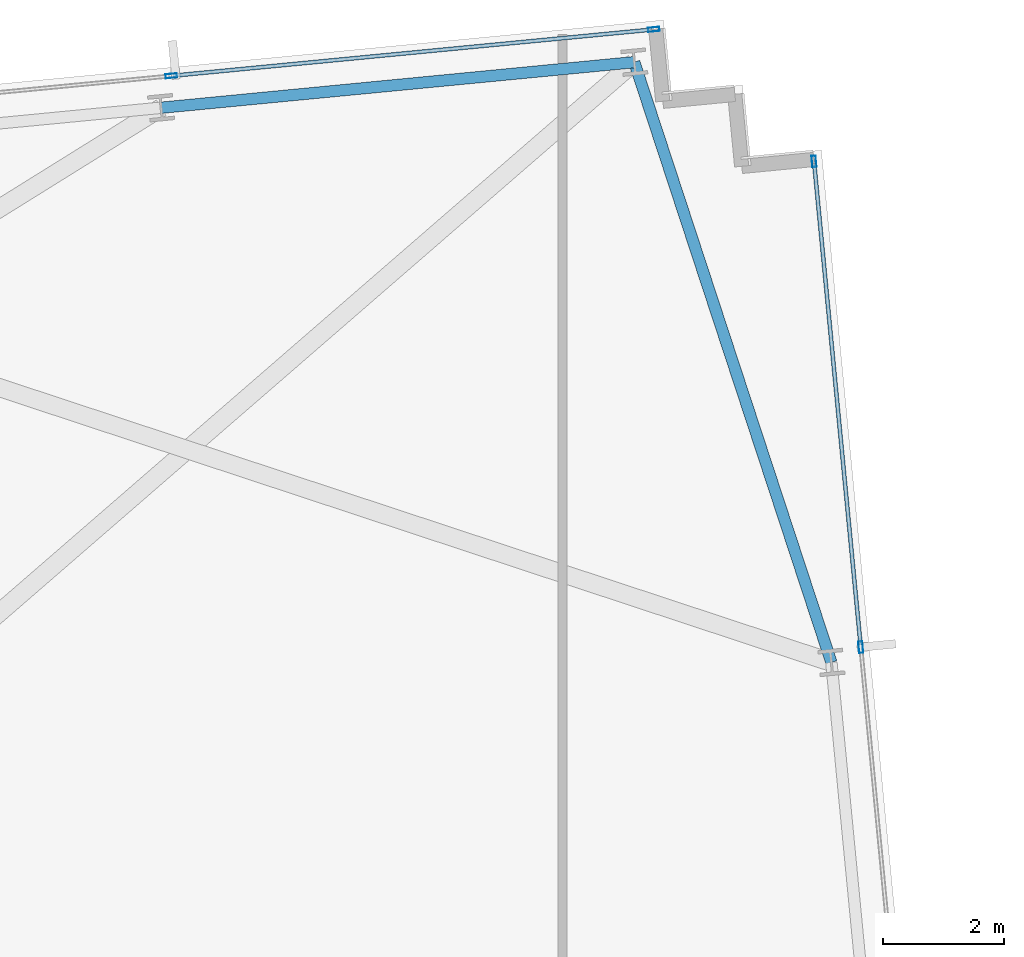
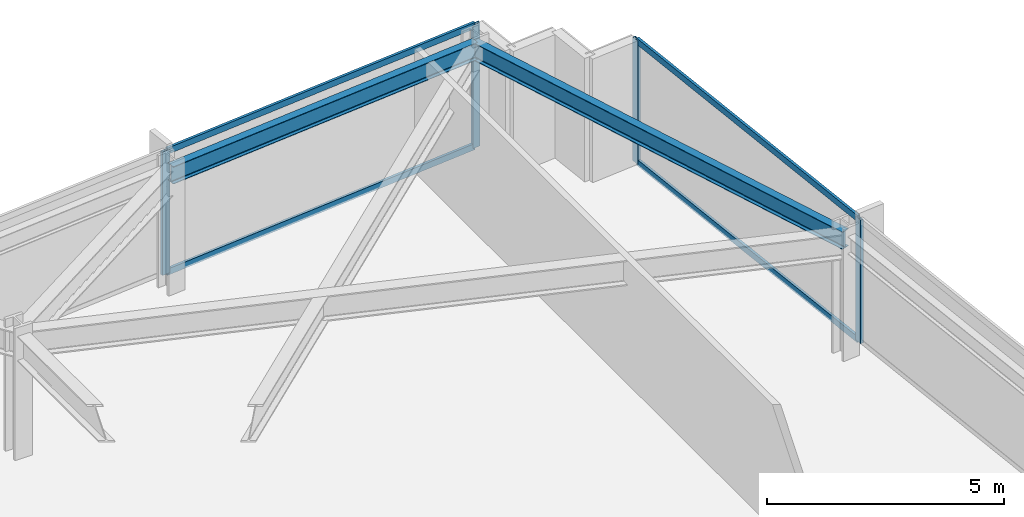
# One storey, part 23 of 32: 8 members, 2 beams, 2 elements without a shape of their own.
"""IFC4 building model written with IfcOpenShell, lengths in metres."""

from ifc_helpers import new_model, si_unit, direction, frame, origin, origin_2d, place, context, subcontext, project, spatial, hollow_rectangle, i_section, extrude, material, material_profile, profile_set, type_object, element, aggregate, save


model = new_model("IFC4")

# Units and contexts
model_context = context("Model", 3, precision=1e-05, world=origin(), true_north=direction((0.0, 1.0)))
body_context = subcontext(model_context, "Body", "Model", "MODEL_VIEW")
ifc_project = project(units=[si_unit("LENGTHUNIT", "METRE"), si_unit("AREAUNIT", "SQUARE_METRE"), si_unit("VOLUMEUNIT", "CUBIC_METRE"), si_unit("PLANEANGLEUNIT", "RADIAN"), si_unit("MASSUNIT", "GRAM", prefix="KILO")], contexts=[model_context])

# Site, building, storey
site_placement = place(None, origin())
site = spatial("IfcSite", under=ifc_project, at=site_placement, CompositionType="ELEMENT")
building_placement = place(site_placement, origin())
building = spatial("IfcBuilding", under=site, at=building_placement, Name="Yelkora Congress Tower", CompositionType="ELEMENT")
storey_placement = place(building_placement, frame((0.0, 0.0, 103.300048828125)))
storey = spatial("IfcBuildingStorey", under=building, at=storey_placement, Name="L27", CompositionType="ELEMENT", Elevation=103.300048828125)

# Beams
ifc_material_1 = material(Name="Steel S355J2", Category="steel")
ifc_material_profile_1 = material_profile(ifc_material_1, i_section(OverallWidth=0.18994140625, OverallDepth=0.449951171875, WebThickness=0.009521484375, FlangeThickness=0.0146484375, FilletRadius=0.02099609375, at=origin_2d()), Name="IPE 450")
ifc_profile_set_1 = profile_set([ifc_material_profile_1], Name="Steel S355J2")
beam_type = type_object("IfcBeamType", Name="BM-SPAN-IPE450", PredefinedType="SPANDREL", material=ifc_profile_set_1)
beam_1_placement = place(storey_placement, frame((74.522216796875, 40.610595703125, 2.954833984375), z_axis=(-0.311961656523, 0.950094692575, 0.0), x_axis=(-0.950094692575, -0.311961656523, 0.0)))
element("IfcBeam", 1, at=beam_1_placement, inside=storey, type_object=beam_type, Name="L27 Perimeter Beam 13", PredefinedType="SPANDREL", context=body_context, shape_type="SweptSolid", body=[
    extrude(i_section(OverallWidth=0.18994140625, OverallDepth=0.449951171875, WebThickness=0.009521484375, FlangeThickness=0.0146484375, FilletRadius=0.02099609375, at=origin_2d()), origin(), (0.0, 0.0, 1.0), 10.48046875),
])
beam_2_placement = place(storey_placement, frame((71.252685546875, 50.568115234375, 2.954833984375), z_axis=(-0.995392621281, -0.095882894719, 0.0), x_axis=(0.095882894719, -0.995392621281, 0.0)))
element("IfcBeam", 2, at=beam_2_placement, inside=storey, type_object=beam_type, Name="L27 Perimeter Beam 14", PredefinedType="SPANDREL", context=body_context, shape_type="SweptSolid", body=[
    extrude(i_section(OverallWidth=0.18994140625, OverallDepth=0.449951171875, WebThickness=0.009521484375, FlangeThickness=0.0146484375, FilletRadius=0.02099609375, at=origin_2d()), origin(), (0.0, 0.0, 1.0), 7.8857421875),
])

# Curtain wall, members
ifc_material_2 = material(Name="Anodised aluminium and insulated glass", Category="aluminium")
curtain_wall_type = type_object("IfcCurtainWallType", Name="CW-SYS-B2", PredefinedType="NOTDEFINED", material=ifc_material_2)
curtain_wall_1_placement = place(storey_placement, origin())
curtain_wall_1 = element("IfcCurtainWall", 3, at=curtain_wall_1_placement, inside=storey, type_object=curtain_wall_type, Name="L27 Unitised Curtain Wall 10 (3)", PredefinedType="NOTDEFINED")
ifc_material_3 = material(Name="Anodised aluminium 6063-T6", Category="aluminium")
ifc_material_profile_2 = material_profile(ifc_material_3, hollow_rectangle(XDim=0.070068359375, YDim=0.18994140625, WallThickness=0.00390625, at=origin_2d()), Name="ALU 70x190x4")
ifc_profile_set_2 = profile_set([ifc_material_profile_2], Name="Anodised aluminium 6063-T6")
member_type_1 = type_object("IfcMemberType", Name="MEM-ML-B2", PredefinedType="MULLION", material=ifc_profile_set_2)
member_1_placement = place(storey_placement, frame((63.572021484375, 50.3408203125, 0.0), z_axis=(0.0, 0.0, 1.0), x_axis=(-0.095844238468, 0.995396344153, 0.0)))
member_1 = element("IfcMember", 4, at=member_1_placement, type_object=member_type_1, Name="CW-B2 mullion 6", PredefinedType="MULLION", context=body_context, shape_type="SweptSolid", body=[
    extrude(hollow_rectangle(XDim=0.070068359375, YDim=0.18994140625, WallThickness=0.00390625, at=origin_2d()), origin(), (0.0, 0.0, 1.0), 3.179931640625),
])
member_2_placement = place(storey_placement, frame((71.5771484375, 51.111572265625, 0.0), z_axis=(0.0, 0.0, 1.0), x_axis=(-0.095844238468, 0.995396344153, 0.0)))
member_2 = element("IfcMember", 5, at=member_2_placement, type_object=member_type_1, Name="CW-B2 mullion 7", PredefinedType="MULLION", context=body_context, shape_type="SweptSolid", body=[
    extrude(hollow_rectangle(XDim=0.070068359375, YDim=0.18994140625, WallThickness=0.00390625, at=origin_2d()), origin(), (0.0, 0.0, 1.0), 3.179931640625),
])

curtain_wall_2_placement = place(storey_placement, origin())
curtain_wall_2 = element("IfcCurtainWall", 6, at=curtain_wall_2_placement, inside=storey, type_object=curtain_wall_type, Name="L27 Unitised Curtain Wall 15", PredefinedType="NOTDEFINED")
member_3_placement = place(storey_placement, frame((74.234375, 48.921142578125, 0.0), z_axis=(0.0, 0.0, 1.0), x_axis=(0.995396507508, 0.095842541913, 0.0)))
member_3 = element("IfcMember", 7, at=member_3_placement, type_object=member_type_1, Name="CW-B2 mullion 1", PredefinedType="MULLION", context=body_context, shape_type="SweptSolid", body=[
    extrude(hollow_rectangle(XDim=0.070068359375, YDim=0.18994140625, WallThickness=0.00390625, at=origin_2d()), origin(), (0.0, 0.0, 1.0), 3.179931640625),
])
member_4_placement = place(storey_placement, frame((75.010009765625, 40.863525390625, 0.0), z_axis=(0.0, 0.0, 1.0), x_axis=(0.995396507508, 0.095842541913, 0.0)))
member_4 = element("IfcMember", 8, at=member_4_placement, type_object=member_type_1, Name="CW-B2 mullion 2", PredefinedType="MULLION", context=body_context, shape_type="SweptSolid", body=[
    extrude(hollow_rectangle(XDim=0.070068359375, YDim=0.18994140625, WallThickness=0.00390625, at=origin_2d()), origin(), (0.0, 0.0, 1.0), 3.179931640625),
])

# Member
ifc_material_profile_3 = material_profile(ifc_material_3, hollow_rectangle(XDim=0.06494140625, YDim=0.159912109375, WallThickness=0.00390625, at=origin_2d()), Name="ALU 65x160x4")
ifc_profile_set_3 = profile_set([ifc_material_profile_3], Name="Anodised aluminium 6063-T6")
member_type_2 = type_object("IfcMemberType", Name="MEM-TR-B2", PredefinedType="USERDEFINED", material=ifc_profile_set_3)
member_5_placement = place(storey_placement, frame((63.606689453125, 50.343994140625, 0.032470703125), z_axis=(0.995395553311, 0.095852451448, 0.0), x_axis=(-0.095852451448, 0.995395553311, 0.0)))
member_5 = element("IfcMember", 9, at=member_5_placement, type_object=member_type_2, Name="CW-B2 transom 6.1", ObjectType="TRANSOM", PredefinedType="USERDEFINED", context=body_context, shape_type="SweptSolid", body=[
    extrude(hollow_rectangle(XDim=0.06494140625, YDim=0.159912109375, WallThickness=0.00390625, at=origin_2d()), origin(), (0.0, 0.0, 1.0), 7.97216796875),
])

member_6_placement = place(storey_placement, frame((63.606689453125, 50.343994140625, 3.1474609375), z_axis=(0.995395553311, 0.095852451448, 0.0), x_axis=(-0.095852451448, 0.995395553311, 0.0)))
member_6 = element("IfcMember", 10, at=member_6_placement, type_object=member_type_2, Name="CW-B2 transom 6.2", ObjectType="TRANSOM", PredefinedType="USERDEFINED", context=body_context, shape_type="SweptSolid", body=[
    extrude(hollow_rectangle(XDim=0.06494140625, YDim=0.159912109375, WallThickness=0.00390625, at=origin_2d()), origin(), (0.0, 0.0, 1.0), 7.97216796875),
])

aggregate(curtain_wall_1, [member_1, member_2, member_5, member_6])

member_7_placement = place(storey_placement, frame((74.237548828125, 48.88623046875, 0.032470703125), z_axis=(0.095861385662, -0.995394692943, 0.0), x_axis=(0.995394692943, 0.095861385662, 0.0)))
member_7 = element("IfcMember", 11, at=member_7_placement, type_object=member_type_2, Name="CW-B2 transom 1.1", ObjectType="TRANSOM", PredefinedType="USERDEFINED", context=body_context, shape_type="SweptSolid", body=[
    extrude(hollow_rectangle(XDim=0.06494140625, YDim=0.159912109375, WallThickness=0.00390625, at=origin_2d()), origin(), (0.0, 0.0, 1.0), 8.02490234375),
])

member_8_placement = place(storey_placement, frame((74.237548828125, 48.88623046875, 3.1474609375), z_axis=(0.095861385662, -0.995394692943, 0.0), x_axis=(0.995394692943, 0.095861385662, 0.0)))
member_8 = element("IfcMember", 12, at=member_8_placement, type_object=member_type_2, Name="CW-B2 transom 1.2", ObjectType="TRANSOM", PredefinedType="USERDEFINED", context=body_context, shape_type="SweptSolid", body=[
    extrude(hollow_rectangle(XDim=0.06494140625, YDim=0.159912109375, WallThickness=0.00390625, at=origin_2d()), origin(), (0.0, 0.0, 1.0), 8.02490234375),
])

aggregate(curtain_wall_2, [member_3, member_4, member_7, member_8])

save(model, "model.ifc")
